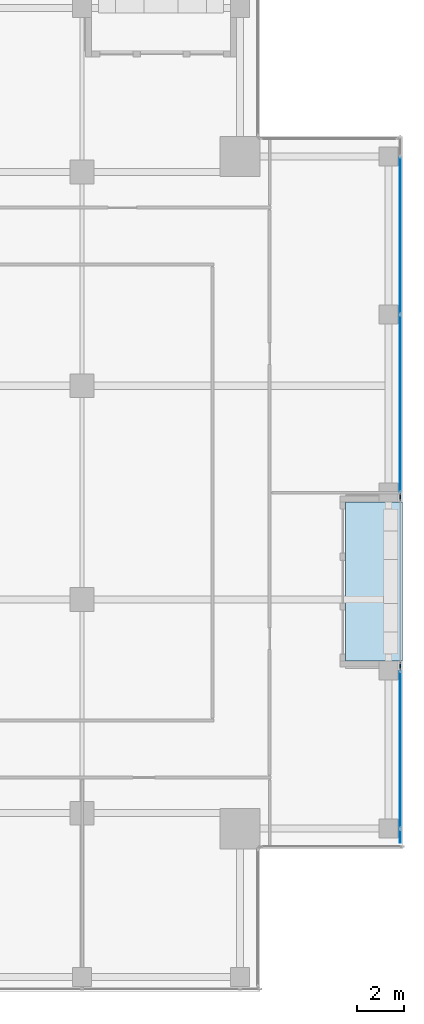
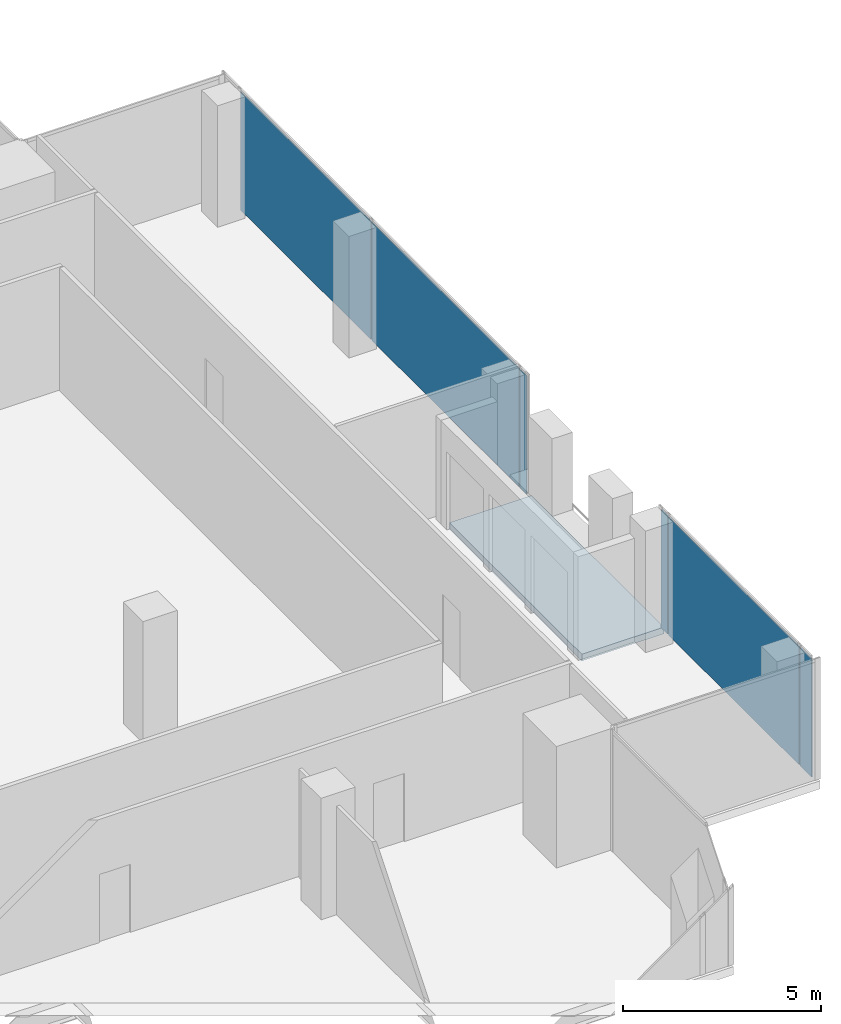
# One storey, part 22 of 29: 6 plates, 1 slab, 2 elements without a shape of their own.
"""IFC4 building model written with IfcOpenShell, lengths in metres."""

from ifc_helpers import new_model, si_unit, direction, frame, origin, origin_2d, place, context, subcontext, project, spatial, polyline, rectangle, outline, extrude, source, transform, mapped, material, layer, layer_set, type_object, element, aggregate, save


model = new_model("IFC4")

# Units and contexts
model_context = context("Model", 3, precision=1e-05, world=origin(), true_north=direction((0.0, 1.0)))
body_context = subcontext(model_context, "Body", "Model", "MODEL_VIEW")
ifc_project = project(units=[si_unit("LENGTHUNIT", "METRE"), si_unit("AREAUNIT", "SQUARE_METRE"), si_unit("VOLUMEUNIT", "CUBIC_METRE"), si_unit("PLANEANGLEUNIT", "RADIAN"), si_unit("MASSUNIT", "GRAM", prefix="KILO")], contexts=[model_context])

# Site, building, storey
site_placement = place(None, origin())
site = spatial("IfcSite", under=ifc_project, at=site_placement, CompositionType="ELEMENT")
building_placement = place(site_placement, origin())
building = spatial("IfcBuilding", under=site, at=building_placement, Name="Khomas Fold Tower", CompositionType="ELEMENT")
storey_placement = place(building_placement, frame((0.0, 0.0, 326.199951171875)))
storey = spatial("IfcBuildingStorey", under=building, at=storey_placement, Name="L74", CompositionType="ELEMENT", Elevation=326.199951171875)

# Curtain wall, plates
ifc_material_1 = material(Name="Aluminium framed double glazing", Category="aluminium")
curtain_wall_type = type_object("IfcCurtainWallType", Name="SK-Unitised clear-glass wall, upper floors CW3", PredefinedType="NOTDEFINED", material=ifc_material_1)
curtain_wall_1_placement = place(storey_placement, origin())
curtain_wall_1 = element("IfcCurtainWall", 1, at=curtain_wall_1_placement, inside=storey, type_object=curtain_wall_type, Name="CW3 run L74 03-0", PredefinedType="NOTDEFINED")
ifc_material_2 = material(Name="Clear double glazed unit")
ifc_layer_1 = layer(ifc_material_2, 0.028076171875)
ifc_layer_set_1 = layer_set([ifc_layer_1], Name="Clear double glazed unit")
plate_type = type_object("IfcPlateType", Name="SK-Unitised clear-glass wall, upper floors glass panel CW3-P", PredefinedType="CURTAIN_PANEL", material=ifc_layer_set_1)
shared_shape_1 = source(origin(), body_context, "Body", "SweptSolid", [
    extrude(rectangle(XDim=0.574951171875, YDim=0.028076171875, at=origin_2d()), origin(), (0.0, 0.0, 1.0), 3.64990234375),
])
plate_1_placement = place(storey_placement, frame((47.89990234375, 12.53759765625, 0.0), z_axis=(0.0, 0.0, 1.0), x_axis=(0.0, 1.0, 0.0)))
plate_1 = element("IfcPlate", 2, at=plate_1_placement, type_object=plate_type, Name="CW3 glass panel 1", PredefinedType="CURTAIN_PANEL", context=body_context, shape_type="MappedRepresentation", body=[
    mapped(shared_shape_1, transform((0.0, 0.0, 0.0))),
])
shared_shape_2 = source(origin(), body_context, "Body", "SweptSolid", [
    extrude(rectangle(XDim=6.60009765625, YDim=0.028076171875, at=origin_2d()), origin(), (0.0, 0.0, 1.0), 3.64990234375),
])
plate_2_placement = place(storey_placement, frame((47.89990234375, 16.175048828125, 0.0), z_axis=(0.0, 0.0, 1.0), x_axis=(0.0, 1.0, 0.0)))
plate_2 = element("IfcPlate", 3, at=plate_2_placement, type_object=plate_type, Name="CW3 glass panel 2", PredefinedType="CURTAIN_PANEL", context=body_context, shape_type="MappedRepresentation", body=[
    mapped(shared_shape_2, transform((0.0, 0.0, 0.0))),
])

curtain_wall_2_placement = place(storey_placement, origin())
curtain_wall_2 = element("IfcCurtainWall", 4, at=curtain_wall_2_placement, inside=storey, type_object=curtain_wall_type, Name="CW3 run L74 03-1", PredefinedType="NOTDEFINED")
plate_3_placement = place(storey_placement, frame((47.89990234375, 37.824951171875, 0.0), z_axis=(0.0, 0.0, 1.0), x_axis=(0.0, 1.0, 0.0)))
plate_3 = element("IfcPlate", 5, at=plate_3_placement, type_object=plate_type, Name="CW3 glass panel 3", PredefinedType="CURTAIN_PANEL", context=body_context, shape_type="MappedRepresentation", body=[
    mapped(shared_shape_2, transform((0.0, 0.0, 0.0))),
])
shared_shape_3 = source(origin(), body_context, "Body", "SweptSolid", [
    extrude(rectangle(XDim=7.449951171875, YDim=0.028076171875, at=origin_2d()), origin(), (0.0, 0.0, 1.0), 3.64990234375),
])
plate_4_placement = place(storey_placement, frame((47.89990234375, 30.75, 0.0), z_axis=(0.0, 0.0, 1.0), x_axis=(0.0, 1.0, 0.0)))
plate_4 = element("IfcPlate", 6, at=plate_4_placement, type_object=plate_type, Name="CW3 glass panel 2", PredefinedType="CURTAIN_PANEL", context=body_context, shape_type="MappedRepresentation", body=[
    mapped(shared_shape_3, transform((0.0, 0.0, 0.0))),
])

# Plate
shared_shape_4 = source(origin(), body_context, "Body", "SweptSolid", [
    extrude(rectangle(XDim=0.324951171875, YDim=0.028076171875, at=origin_2d()), origin(), (0.0, 0.0, 1.0), 3.64990234375),
])
plate_5_placement = place(storey_placement, frame((47.89990234375, 19.6875, 0.0), z_axis=(0.0, 0.0, 1.0), x_axis=(0.0, 1.0, 0.0)))
plate_5 = element("IfcPlate", 7, at=plate_5_placement, type_object=plate_type, Name="CW3 glass panel 3", PredefinedType="CURTAIN_PANEL", context=body_context, shape_type="MappedRepresentation", body=[
    mapped(shared_shape_4, transform((0.0, 0.0, 0.0))),
])

aggregate(curtain_wall_1, [plate_1, plate_2, plate_5])

plate_6_placement = place(storey_placement, frame((47.89990234375, 26.8125, 0.0), z_axis=(0.0, 0.0, 1.0), x_axis=(0.0, 1.0, 0.0)))
plate_6 = element("IfcPlate", 8, at=plate_6_placement, type_object=plate_type, Name="CW3 glass panel 1", PredefinedType="CURTAIN_PANEL", context=body_context, shape_type="MappedRepresentation", body=[
    mapped(shared_shape_4, transform((0.0, 0.0, 0.0))),
])

aggregate(curtain_wall_2, [plate_6, plate_4, plate_3])

# Slab
ifc_material_3 = material(Name="Concrete C40/50", Category="concrete")
ifc_layer_2 = layer(ifc_material_3, 0.205078125)
ifc_layer_set_2 = layer_set([ifc_layer_2], Name="Concrete C40/50")
slab_type = type_object("IfcSlabType", Name="BL-Balcony deck 205", PredefinedType="FLOOR", material=ifc_layer_set_2)
shared_shape_5 = source(origin(), body_context, "Body", "SweptSolid", [
    extrude(outline(polyline([(45.60009765625, 19.89990234375), (48.0, 19.89990234375), (48.0, 26.60009765625), (45.60009765625, 26.60009765625), (45.60009765625, 19.89990234375)])), origin(), (0.0, 0.0, 1.0), 0.205078125),
])
slab_placement = place(storey_placement, frame((0.0, 0.0, -0.25)))
element("IfcSlab", 9, at=slab_placement, inside=storey, type_object=slab_type, Name="Balcony deck BAL-L74-E2", PredefinedType="FLOOR", context=body_context, shape_type="MappedRepresentation", body=[
    mapped(shared_shape_5, transform((0.0, 0.0, 0.0))),
])

save(model, "model.ifc")
